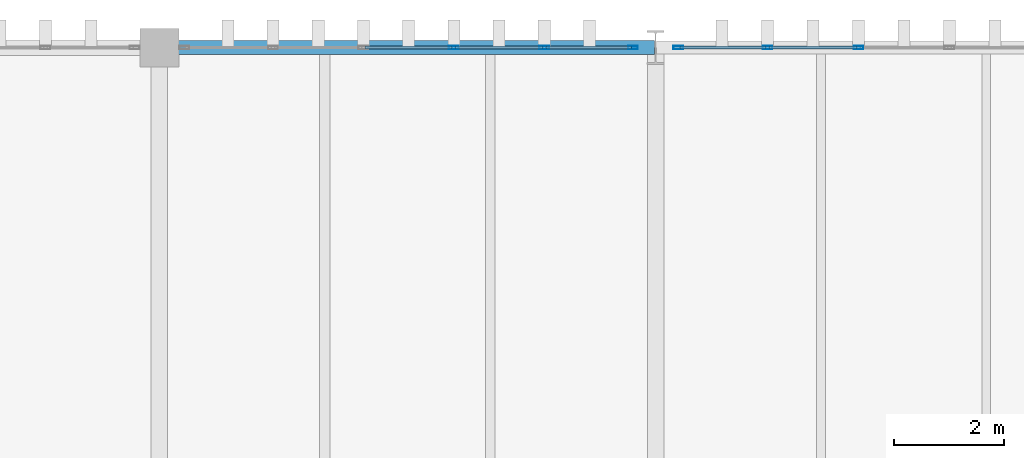
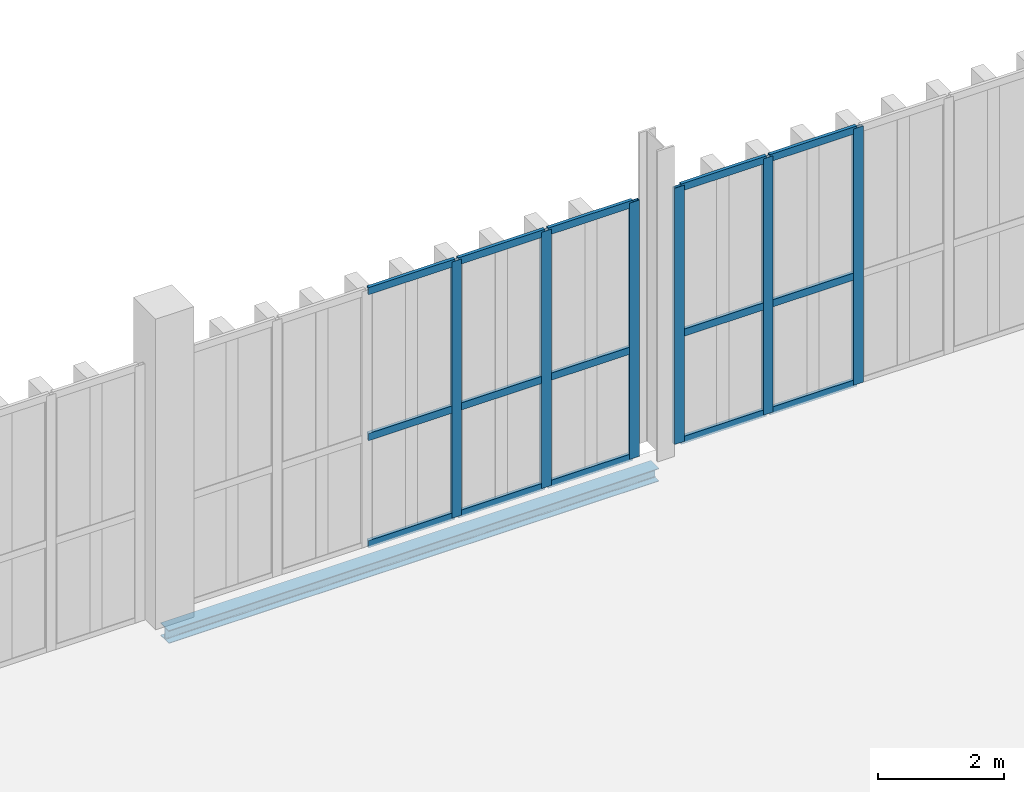
# One storey, part 137 of 211: 21 members, 1 beam, 2 elements without a shape of their own.
"""IFC4 building model written with IfcOpenShell, lengths in metres."""

from ifc_helpers import new_model, si_unit, direction, frame, origin, origin_2d, place, context, subcontext, project, spatial, hollow_rectangle, i_section, extrude, material, layer, layer_set, material_profile, profile_set, type_object, element, aggregate, save


model = new_model("IFC4")

# Units and contexts
model_context = context("Model", 3, precision=1e-05, world=origin(), true_north=direction((0.0, 1.0)))
body_context = subcontext(model_context, "Body", "Model", "MODEL_VIEW")
ifc_project = project(units=[si_unit("LENGTHUNIT", "METRE"), si_unit("AREAUNIT", "SQUARE_METRE"), si_unit("VOLUMEUNIT", "CUBIC_METRE"), si_unit("PLANEANGLEUNIT", "RADIAN"), si_unit("MASSUNIT", "GRAM", prefix="KILO")], contexts=[model_context])

# Site, building, storey
site_placement = place(None, origin())
site = spatial("IfcSite", under=ifc_project, at=site_placement, CompositionType="ELEMENT")
building_placement = place(site_placement, origin())
building = spatial("IfcBuilding", under=site, at=building_placement, Name="Barlavento Convention Centre", CompositionType="ELEMENT")
storey_placement = place(building_placement, frame((0.0, 0.0, 6.0)))
storey = spatial("IfcBuildingStorey", under=building, at=storey_placement, Name="L01", CompositionType="ELEMENT", Elevation=6.0)

# Curtain wall, members
ifc_material_1 = material(Name="Powder-coated aluminium and Low-E glass", Category="aluminium")
ifc_layer = layer(ifc_material_1, 0.179931640625)
ifc_layer_set = layer_set([ifc_layer], Name="ARC-CW-EXH-L01")
curtain_wall_type = type_object("IfcCurtainWallType", Name="ARC-CW-EXH-L01", PredefinedType="NOTDEFINED", material=ifc_layer_set)
curtain_wall_1_placement = place(storey_placement, origin())
curtain_wall_1 = element("IfcCurtainWall", 1, at=curtain_wall_1_placement, inside=storey, type_object=curtain_wall_type, Name="L01 unitised curtain wall CW04", PredefinedType="NOTDEFINED")
ifc_material_2 = material(Name="Powder-coated aluminium", Category="aluminium")
ifc_material_profile_1 = material_profile(ifc_material_2, hollow_rectangle(XDim=0.06005859375, YDim=0.179931640625, WallThickness=0.0048828125, at=origin_2d()), Name="AL-MULL 60x180x5")
ifc_profile_set_1 = profile_set([ifc_material_profile_1], Name="Powder-coated aluminium")
member_type_1 = type_object("IfcMemberType", Name="ARC-CWM-60X180", PredefinedType="MULLION", material=ifc_profile_set_1)
member_1_placement = place(storey_placement, frame((14.340087890625, 135.0, 0.0), z_axis=(0.0, 0.0, 1.0), x_axis=(0.0, 1.0, 0.0)))
member_1 = element("IfcMember", 2, at=member_1_placement, type_object=member_type_1, Name="CW04 mullion 4", PredefinedType="MULLION", context=body_context, shape_type="SweptSolid", body=[
    extrude(hollow_rectangle(XDim=0.06005859375, YDim=0.179931640625, WallThickness=0.0048828125, at=origin_2d()), origin(), (0.0, 0.0, 1.0), 4.949951171875),
])
member_2_placement = place(storey_placement, frame((15.97998046875, 135.0, 0.0), z_axis=(0.0, 0.0, 1.0), x_axis=(0.0, 1.0, 0.0)))
member_2 = element("IfcMember", 3, at=member_2_placement, type_object=member_type_1, Name="CW04 mullion 5", PredefinedType="MULLION", context=body_context, shape_type="SweptSolid", body=[
    extrude(hollow_rectangle(XDim=0.06005859375, YDim=0.179931640625, WallThickness=0.0048828125, at=origin_2d()), origin(), (0.0, 0.0, 1.0), 4.949951171875),
])
member_3_placement = place(storey_placement, frame((17.590087890625, 135.0, 0.0), z_axis=(0.0, 0.0, 1.0), x_axis=(0.0, 1.0, 0.0)))
member_3 = element("IfcMember", 4, at=member_3_placement, type_object=member_type_1, Name="CW04 mullion 6", PredefinedType="MULLION", context=body_context, shape_type="SweptSolid", body=[
    extrude(hollow_rectangle(XDim=0.06005859375, YDim=0.179931640625, WallThickness=0.0048828125, at=origin_2d()), origin(), (0.0, 0.0, 1.0), 4.949951171875),
])

curtain_wall_2_placement = place(storey_placement, origin())
curtain_wall_2 = element("IfcCurtainWall", 5, at=curtain_wall_2_placement, inside=storey, type_object=curtain_wall_type, Name="L01 unitised curtain wall CW04", PredefinedType="NOTDEFINED")
member_4_placement = place(storey_placement, frame((18.409912109375, 135.0, 0.0), z_axis=(0.0, 0.0, 1.0), x_axis=(0.0, 1.0, 0.0)))
member_4 = element("IfcMember", 6, at=member_4_placement, type_object=member_type_1, Name="CW04 mullion 1", PredefinedType="MULLION", context=body_context, shape_type="SweptSolid", body=[
    extrude(hollow_rectangle(XDim=0.06005859375, YDim=0.179931640625, WallThickness=0.0048828125, at=origin_2d()), origin(), (0.0, 0.0, 1.0), 4.949951171875),
])
member_5_placement = place(storey_placement, frame((20.030029296875, 135.0, 0.0), z_axis=(0.0, 0.0, 1.0), x_axis=(0.0, 1.0, 0.0)))
member_5 = element("IfcMember", 7, at=member_5_placement, type_object=member_type_1, Name="CW04 mullion 2", PredefinedType="MULLION", context=body_context, shape_type="SweptSolid", body=[
    extrude(hollow_rectangle(XDim=0.06005859375, YDim=0.179931640625, WallThickness=0.0048828125, at=origin_2d()), origin(), (0.0, 0.0, 1.0), 4.949951171875),
])
member_6_placement = place(storey_placement, frame((21.679931640625, 135.0, 0.0), z_axis=(0.0, 0.0, 1.0), x_axis=(0.0, 1.0, 0.0)))
member_6 = element("IfcMember", 8, at=member_6_placement, type_object=member_type_1, Name="CW04 mullion 3", PredefinedType="MULLION", context=body_context, shape_type="SweptSolid", body=[
    extrude(hollow_rectangle(XDim=0.06005859375, YDim=0.179931640625, WallThickness=0.0048828125, at=origin_2d()), origin(), (0.0, 0.0, 1.0), 4.949951171875),
])

# Member
ifc_material_profile_2 = material_profile(ifc_material_2, hollow_rectangle(XDim=0.06005859375, YDim=0.139892578125, WallThickness=0.00390625, at=origin_2d()), Name="AL-TRAN 60x140x4")
ifc_profile_set_2 = profile_set([ifc_material_profile_2], Name="Powder-coated aluminium")
member_type_2 = type_object("IfcMemberType", Name="ARC-CWT-60X140", PredefinedType="USERDEFINED", material=ifc_profile_set_2)
member_7_placement = place(storey_placement, frame((12.72998046875, 135.0, 0.030029296875), z_axis=(1.0, 0.0, 0.0), x_axis=(0.0, 1.0, 0.0)))
member_7 = element("IfcMember", 9, at=member_7_placement, type_object=member_type_2, Name="CW04 transom 3.1", ObjectType="TRANSOM", PredefinedType="USERDEFINED", context=body_context, shape_type="SweptSolid", body=[
    extrude(hollow_rectangle(XDim=0.06005859375, YDim=0.139892578125, WallThickness=0.00390625, at=origin_2d()), origin(), (0.0, 0.0, 1.0), 1.580078125),
])

member_8_placement = place(storey_placement, frame((12.72998046875, 135.0, 2.10009765625), z_axis=(1.0, 0.0, 0.0), x_axis=(0.0, 1.0, 0.0)))
member_8 = element("IfcMember", 10, at=member_8_placement, type_object=member_type_2, Name="CW04 transom 3.2", ObjectType="TRANSOM", PredefinedType="USERDEFINED", context=body_context, shape_type="SweptSolid", body=[
    extrude(hollow_rectangle(XDim=0.06005859375, YDim=0.139892578125, WallThickness=0.00390625, at=origin_2d()), origin(), (0.0, 0.0, 1.0), 1.580078125),
])

member_9_placement = place(storey_placement, frame((12.72998046875, 135.0, 4.919921875), z_axis=(1.0, 0.0, 0.0), x_axis=(0.0, 1.0, 0.0)))
member_9 = element("IfcMember", 11, at=member_9_placement, type_object=member_type_2, Name="CW04 transom 3.3", ObjectType="TRANSOM", PredefinedType="USERDEFINED", context=body_context, shape_type="SweptSolid", body=[
    extrude(hollow_rectangle(XDim=0.06005859375, YDim=0.139892578125, WallThickness=0.00390625, at=origin_2d()), origin(), (0.0, 0.0, 1.0), 1.580078125),
])

member_10_placement = place(storey_placement, frame((14.3701171875, 135.0, 0.030029296875), z_axis=(1.0, 0.0, 0.0), x_axis=(0.0, 1.0, 0.0)))
member_10 = element("IfcMember", 12, at=member_10_placement, type_object=member_type_2, Name="CW04 transom 4.1", ObjectType="TRANSOM", PredefinedType="USERDEFINED", context=body_context, shape_type="SweptSolid", body=[
    extrude(hollow_rectangle(XDim=0.06005859375, YDim=0.139892578125, WallThickness=0.00390625, at=origin_2d()), origin(), (0.0, 0.0, 1.0), 1.579833984375),
])

member_11_placement = place(storey_placement, frame((14.3701171875, 135.0, 2.10009765625), z_axis=(1.0, 0.0, 0.0), x_axis=(0.0, 1.0, 0.0)))
member_11 = element("IfcMember", 13, at=member_11_placement, type_object=member_type_2, Name="CW04 transom 4.2", ObjectType="TRANSOM", PredefinedType="USERDEFINED", context=body_context, shape_type="SweptSolid", body=[
    extrude(hollow_rectangle(XDim=0.06005859375, YDim=0.139892578125, WallThickness=0.00390625, at=origin_2d()), origin(), (0.0, 0.0, 1.0), 1.579833984375),
])

member_12_placement = place(storey_placement, frame((14.3701171875, 135.0, 4.919921875), z_axis=(1.0, 0.0, 0.0), x_axis=(0.0, 1.0, 0.0)))
member_12 = element("IfcMember", 14, at=member_12_placement, type_object=member_type_2, Name="CW04 transom 4.3", ObjectType="TRANSOM", PredefinedType="USERDEFINED", context=body_context, shape_type="SweptSolid", body=[
    extrude(hollow_rectangle(XDim=0.06005859375, YDim=0.139892578125, WallThickness=0.00390625, at=origin_2d()), origin(), (0.0, 0.0, 1.0), 1.579833984375),
])

member_13_placement = place(storey_placement, frame((16.010009765625, 135.0, 0.030029296875), z_axis=(1.0, 0.0, 0.0), x_axis=(0.0, 1.0, 0.0)))
member_13 = element("IfcMember", 15, at=member_13_placement, type_object=member_type_2, Name="CW04 transom 5.1", ObjectType="TRANSOM", PredefinedType="USERDEFINED", context=body_context, shape_type="SweptSolid", body=[
    extrude(hollow_rectangle(XDim=0.06005859375, YDim=0.139892578125, WallThickness=0.00390625, at=origin_2d()), origin(), (0.0, 0.0, 1.0), 1.550048828125),
])

member_14_placement = place(storey_placement, frame((16.010009765625, 135.0, 2.10009765625), z_axis=(1.0, 0.0, 0.0), x_axis=(0.0, 1.0, 0.0)))
member_14 = element("IfcMember", 16, at=member_14_placement, type_object=member_type_2, Name="CW04 transom 5.2", ObjectType="TRANSOM", PredefinedType="USERDEFINED", context=body_context, shape_type="SweptSolid", body=[
    extrude(hollow_rectangle(XDim=0.06005859375, YDim=0.139892578125, WallThickness=0.00390625, at=origin_2d()), origin(), (0.0, 0.0, 1.0), 1.550048828125),
])

member_15_placement = place(storey_placement, frame((16.010009765625, 135.0, 4.919921875), z_axis=(1.0, 0.0, 0.0), x_axis=(0.0, 1.0, 0.0)))
member_15 = element("IfcMember", 17, at=member_15_placement, type_object=member_type_2, Name="CW04 transom 5.3", ObjectType="TRANSOM", PredefinedType="USERDEFINED", context=body_context, shape_type="SweptSolid", body=[
    extrude(hollow_rectangle(XDim=0.06005859375, YDim=0.139892578125, WallThickness=0.00390625, at=origin_2d()), origin(), (0.0, 0.0, 1.0), 1.550048828125),
])

aggregate(curtain_wall_1, [member_1, member_2, member_3, member_7, member_8, member_9, member_10, member_11, member_12, member_13, member_14, member_15])

member_16_placement = place(storey_placement, frame((18.43994140625, 135.0, 0.030029296875), z_axis=(1.0, 0.0, 0.0), x_axis=(0.0, 1.0, 0.0)))
member_16 = element("IfcMember", 18, at=member_16_placement, type_object=member_type_2, Name="CW04 transom 1.1", ObjectType="TRANSOM", PredefinedType="USERDEFINED", context=body_context, shape_type="SweptSolid", body=[
    extrude(hollow_rectangle(XDim=0.06005859375, YDim=0.139892578125, WallThickness=0.00390625, at=origin_2d()), origin(), (0.0, 0.0, 1.0), 1.56005859375),
])

member_17_placement = place(storey_placement, frame((18.43994140625, 135.0, 2.10009765625), z_axis=(1.0, 0.0, 0.0), x_axis=(0.0, 1.0, 0.0)))
member_17 = element("IfcMember", 19, at=member_17_placement, type_object=member_type_2, Name="CW04 transom 1.2", ObjectType="TRANSOM", PredefinedType="USERDEFINED", context=body_context, shape_type="SweptSolid", body=[
    extrude(hollow_rectangle(XDim=0.06005859375, YDim=0.139892578125, WallThickness=0.00390625, at=origin_2d()), origin(), (0.0, 0.0, 1.0), 1.56005859375),
])

member_18_placement = place(storey_placement, frame((18.43994140625, 135.0, 4.919921875), z_axis=(1.0, 0.0, 0.0), x_axis=(0.0, 1.0, 0.0)))
member_18 = element("IfcMember", 20, at=member_18_placement, type_object=member_type_2, Name="CW04 transom 1.3", ObjectType="TRANSOM", PredefinedType="USERDEFINED", context=body_context, shape_type="SweptSolid", body=[
    extrude(hollow_rectangle(XDim=0.06005859375, YDim=0.139892578125, WallThickness=0.00390625, at=origin_2d()), origin(), (0.0, 0.0, 1.0), 1.56005859375),
])

member_19_placement = place(storey_placement, frame((20.06005859375, 135.0, 0.030029296875), z_axis=(1.0, 0.0, 0.0), x_axis=(0.0, 1.0, 0.0)))
member_19 = element("IfcMember", 21, at=member_19_placement, type_object=member_type_2, Name="CW04 transom 2.1", ObjectType="TRANSOM", PredefinedType="USERDEFINED", context=body_context, shape_type="SweptSolid", body=[
    extrude(hollow_rectangle(XDim=0.06005859375, YDim=0.139892578125, WallThickness=0.00390625, at=origin_2d()), origin(), (0.0, 0.0, 1.0), 1.58984375),
])

member_20_placement = place(storey_placement, frame((20.06005859375, 135.0, 2.10009765625), z_axis=(1.0, 0.0, 0.0), x_axis=(0.0, 1.0, 0.0)))
member_20 = element("IfcMember", 22, at=member_20_placement, type_object=member_type_2, Name="CW04 transom 2.2", ObjectType="TRANSOM", PredefinedType="USERDEFINED", context=body_context, shape_type="SweptSolid", body=[
    extrude(hollow_rectangle(XDim=0.06005859375, YDim=0.139892578125, WallThickness=0.00390625, at=origin_2d()), origin(), (0.0, 0.0, 1.0), 1.58984375),
])

member_21_placement = place(storey_placement, frame((20.06005859375, 135.0, 4.919921875), z_axis=(1.0, 0.0, 0.0), x_axis=(0.0, 1.0, 0.0)))
member_21 = element("IfcMember", 23, at=member_21_placement, type_object=member_type_2, Name="CW04 transom 2.3", ObjectType="TRANSOM", PredefinedType="USERDEFINED", context=body_context, shape_type="SweptSolid", body=[
    extrude(hollow_rectangle(XDim=0.06005859375, YDim=0.139892578125, WallThickness=0.00390625, at=origin_2d()), origin(), (0.0, 0.0, 1.0), 1.58984375),
])

aggregate(curtain_wall_2, [member_4, member_5, member_6, member_16, member_17, member_18, member_19, member_20, member_21])

# Beam
ifc_material_3 = material(Name="Steel S355", Category="steel")
ifc_material_profile_3 = material_profile(ifc_material_3, i_section(OverallWidth=0.260009765625, OverallDepth=0.25, WebThickness=0.007568359375, FlangeThickness=0.012451171875, FilletRadius=0.02392578125, at=origin_2d()), Name="HEA 260")
ifc_profile_set_3 = profile_set([ifc_material_profile_3], Name="Steel S355")
beam_type = type_object("IfcBeamType", Name="STR-BM-SPN-HEA260", PredefinedType="SPANDREL", material=ifc_profile_set_3)
beam_placement = place(storey_placement, frame((9.02001953125, 135.0, -0.405029296875), z_axis=(1.0, 0.0, 0.0), x_axis=(0.0, 1.0, 0.0)))
element("IfcBeam", 24, at=beam_placement, inside=storey, type_object=beam_type, Name="L01 primary girder SP04", PredefinedType="SPANDREL", context=body_context, shape_type="SweptSolid", body=[
    extrude(i_section(OverallWidth=0.260009765625, OverallDepth=0.25, WebThickness=0.007568359375, FlangeThickness=0.012451171875, FilletRadius=0.02392578125, at=origin_2d()), origin(), (0.0, 0.0, 1.0), 8.9599609375),
])

save(model, "model.ifc")
